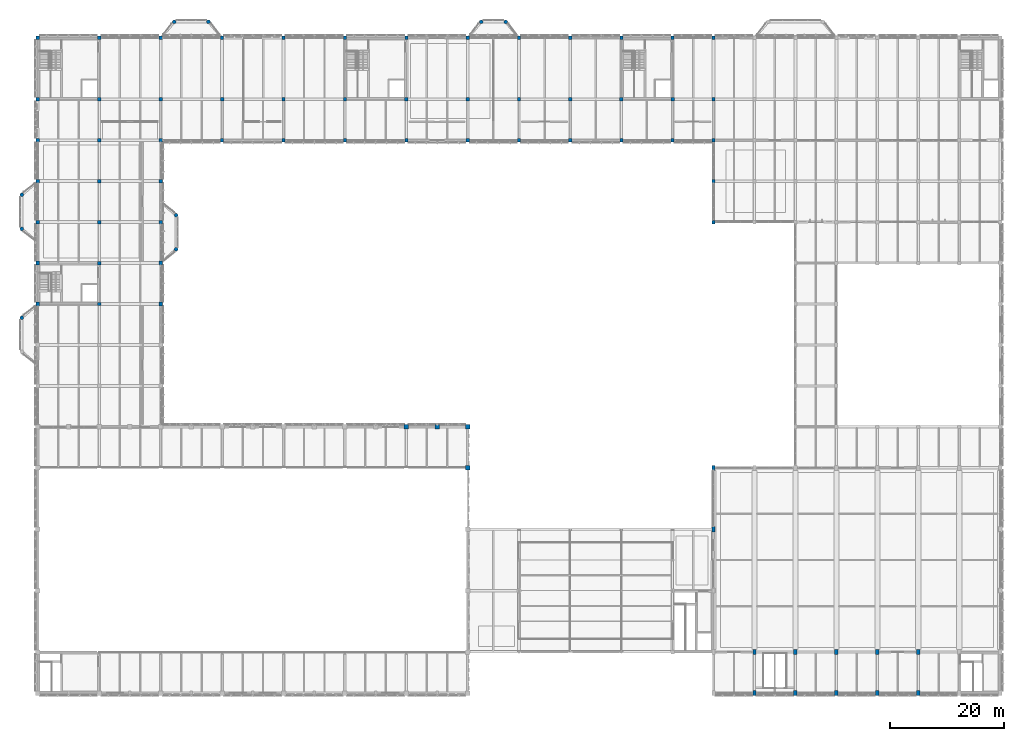
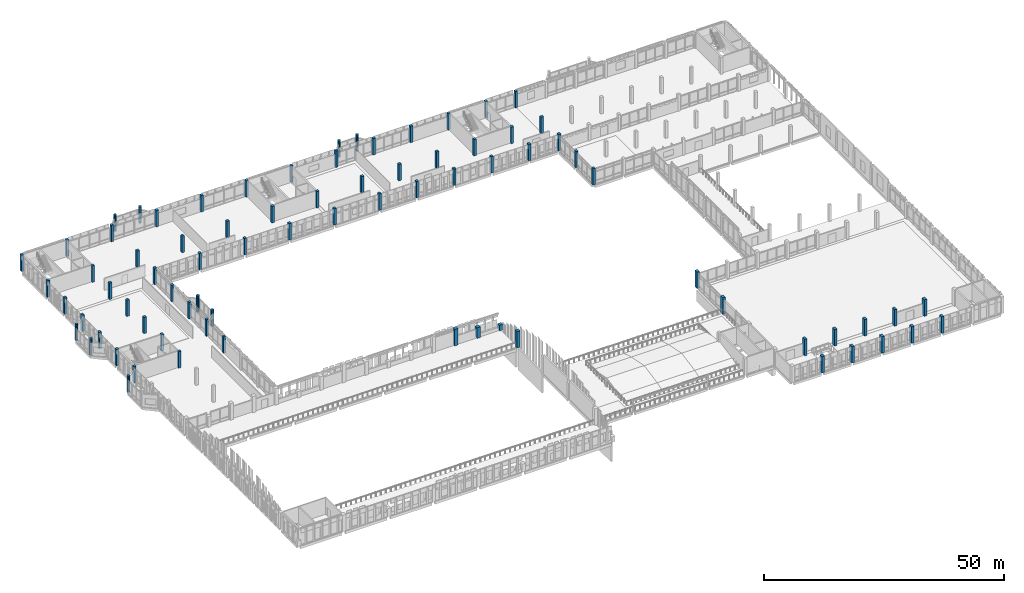
# One storey, part 4 of 158: 78 columns.
"""IFC4 building model written with IfcOpenShell, lengths in metres."""

from ifc_helpers import new_model, si_unit, direction, frame, origin, origin_2d, place, context, subcontext, project, spatial, rectangle, circle, extrude, material, material_profile, profile_set, type_object, element, save


model = new_model("IFC4")

# Units and contexts
model_context = context("Model", 3, precision=1e-05, world=origin(), true_north=direction((0.0, 1.0)))
body_context = subcontext(model_context, "Body", "Model", "MODEL_VIEW")
ifc_project = project(units=[si_unit("LENGTHUNIT", "METRE"), si_unit("AREAUNIT", "SQUARE_METRE"), si_unit("VOLUMEUNIT", "CUBIC_METRE"), si_unit("PLANEANGLEUNIT", "RADIAN"), si_unit("MASSUNIT", "GRAM", prefix="KILO")], contexts=[model_context])

# Site, building, storey
site_placement = place(None, origin())
site = spatial("IfcSite", under=ifc_project, at=site_placement, CompositionType="ELEMENT")
building_placement = place(site_placement, origin())
building = spatial("IfcBuilding", under=site, at=building_placement, Name="Lusvemor Sports Hall", CompositionType="ELEMENT")
storey_placement = place(building_placement, frame((0.0, 0.0, 10.800048828125)))
storey = spatial("IfcBuildingStorey", under=building, at=storey_placement, Name="L02", CompositionType="ELEMENT", Elevation=10.800048828125)

# Columns
ifc_material_1 = material(Name="Concrete C40/50", Category="concrete")
ifc_material_profile_1 = material_profile(ifc_material_1, circle(Radius=0.324951171875, at=origin_2d()), Name="RCCIRC650")
ifc_profile_set_1 = profile_set([ifc_material_profile_1], Name="Concrete C40/50")
column_type_1 = type_object("IfcColumnType", Name="COL_COLONNADE", PredefinedType="COLUMN", material=ifc_profile_set_1)
for number, where, z_axis, x_axis, name in (
    (1, (-2.800048828125, 66.0, 0.0), (0.0, 0.0, 1.0), (1.0, 0.0, 0.0), "Art Nouveau Bow Column BOW-W1-2 (L02)"),
    (2, (-2.800048828125, 81.60009765625, 0.0), (0.0, 0.0, 1.0), (1.0, 0.0, 0.0), "Art Nouveau Bow Column BOW-W2-1 (L02)"),
    (3, (-2.800048828125, 87.60009765625, 0.0), (0.0, 0.0, 1.0), (1.0, 0.0, 0.0), "Art Nouveau Bow Column BOW-W2-2 (L02)"),
    (4, (24.0, 118.0, 0.0), (0.0, 0.0, 1.0), (1.0, 0.0, 0.0), "Art Nouveau Bow Column BOW-N1-1 (L02)"),
    (5, (30.0, 118.0, 0.0), (0.0, 0.0, 1.0), (1.0, 0.0, 0.0), "Art Nouveau Bow Column BOW-N1-2 (L02)"),
    (6, (77.93994140625, 118.0, 0.0), (0.0, 0.0, 1.0), (1.0, 0.0, 0.0), "Art Nouveau Bow Column BOW-N2-1 (L02)"),
    (7, (82.260009765625, 118.0, 0.0), (0.0, 0.0, 1.0), (1.0, 0.0, 0.0), "Art Nouveau Bow Column BOW-N2-2 (L02)"),
    (8, (24.300048828125, 84.0, 0.0), (0.0, 0.0, 1.0), (1.0, 0.0, 0.0), "Art Nouveau Bow Column BOW-CT-1 (L02)"),
    (9, (24.300048828125, 78.0, 0.0), (0.0, 0.0, 1.0), (1.0, 0.0, 0.0), "Art Nouveau Bow Column BOW-CT-2 (L02)"),
):
    element("IfcColumn", number, at=place(storey_placement, frame(where, z_axis=z_axis, x_axis=x_axis)), inside=storey, type_object=column_type_1, Name=name, PredefinedType="COLUMN", context=body_context, shape_type="SweptSolid", body=[
        extrude(circle(Radius=0.324951171875, at=origin_2d()), origin(), (0.0, 0.0, 1.0), 4.199951171875),
    ])
ifc_material_2 = material(Name="Concrete C40/50", Category="concrete")
ifc_material_profile_2 = material_profile(ifc_material_2, rectangle(XDim=0.800048828125, YDim=0.800048828125, at=origin_2d()), Name="RC800x800")
ifc_profile_set_2 = profile_set([ifc_material_profile_2], Name="Concrete C40/50")
column_type_2 = type_object("IfcColumnType", Name="COL_HALL_W", PredefinedType="COLUMN", material=ifc_profile_set_2)
for number, where, z_axis, x_axis, name in (
    (10, (64.800048828125, 46.800048828125, 0.0), (0.0, 0.0, 1.0), (1.0, 0.0, 0.0), "Column 7/F (L02)"),
    (11, (75.60009765625, 39.60009765625, 0.0), (0.0, 0.0, 1.0), (1.0, 0.0, 0.0), "Column 8/E (L02)"),
):
    element("IfcColumn", number, at=place(storey_placement, frame(where, z_axis=z_axis, x_axis=x_axis)), inside=storey, type_object=column_type_2, Name=name, PredefinedType="COLUMN", context=body_context, shape_type="SweptSolid", body=[
        extrude(rectangle(XDim=0.800048828125, YDim=0.800048828125, at=origin_2d()), origin(), (0.0, 0.0, 1.0), 4.199951171875),
    ])
column_1_placement = place(storey_placement, frame((75.60009765625, 46.800048828125, 0.0), z_axis=(0.0, 0.0, 1.0), x_axis=(1.0, 0.0, 0.0)))
element("IfcColumn", 12, at=column_1_placement, inside=storey, type_object=column_type_2, Name="Column 8/F (L02)", PredefinedType="COLUMN", context=body_context, shape_type="SweptSolid", body=[
    extrude(rectangle(XDim=0.800048828125, YDim=0.800048828125, at=origin_2d()), origin(), (0.0, 0.0, 1.0), 1.429931640625),
])
column_2_placement = place(storey_placement, frame((70.199951171875, 46.800048828125, 0.0), z_axis=(0.0, 0.0, 1.0), x_axis=(1.0, 0.0, 0.0)))
element("IfcColumn", 13, at=column_2_placement, inside=storey, type_object=column_type_2, Name="Wave North Eave Column N7 (L02)", PredefinedType="COLUMN", context=body_context, shape_type="SweptSolid", body=[
    extrude(rectangle(XDim=0.800048828125, YDim=0.800048828125, at=origin_2d()), origin(), (0.0, 0.0, 1.0), 2.720458984375),
])
ifc_material_3 = material(Name="Concrete C40/50", Category="concrete")
ifc_material_profile_3 = material_profile(ifc_material_3, rectangle(XDim=0.60009765625, YDim=0.89990234375, at=origin_2d()), Name="RC600x900")
ifc_profile_set_3 = profile_set([ifc_material_profile_3], Name="Concrete C40/50")
column_type_3 = type_object("IfcColumnType", Name="COL_STACK_E", PredefinedType="COLUMN", material=ifc_profile_set_3)
for number, where, z_axis, x_axis, name in (
    (14, (118.800048828125, 28.800048828125, 0.0), (0.0, 0.0, 1.0), (1.0, 0.0, 0.0), "Column 13/D (L02)"),
    (15, (118.800048828125, 39.60009765625, 0.0), (0.0, 0.0, 1.0), (1.0, 0.0, 0.0), "Column 13/E (L02)"),
    (16, (126.0, 0.0, 0.0), (0.0, 0.0, 1.0), (1.0, 0.0, 0.0), "Column 14/A (L02)"),
    (17, (126.0, 7.199951171875, 0.0), (0.0, 0.0, 1.0), (1.0, 0.0, 0.0), "Column 14/B (L02)"),
    (18, (133.199951171875, 0.0, 0.0), (0.0, 0.0, 1.0), (1.0, 0.0, 0.0), "Column 15/A (L02)"),
    (19, (133.199951171875, 7.199951171875, 0.0), (0.0, 0.0, 1.0), (1.0, 0.0, 0.0), "Column 15/B (L02)"),
    (20, (140.39990234375, 0.0, 0.0), (0.0, 0.0, 1.0), (1.0, 0.0, 0.0), "Column 16/A (L02)"),
    (21, (140.39990234375, 7.199951171875, 0.0), (0.0, 0.0, 1.0), (1.0, 0.0, 0.0), "Column 16/B (L02)"),
    (22, (147.60009765625, 0.0, 0.0), (0.0, 0.0, 1.0), (1.0, 0.0, 0.0), "Column 17/A (L02)"),
    (23, (147.60009765625, 7.199951171875, 0.0), (0.0, 0.0, 1.0), (1.0, 0.0, 0.0), "Column 17/B (L02)"),
    (24, (154.800048828125, 0.0, 0.0), (0.0, 0.0, 1.0), (1.0, 0.0, 0.0), "Column 18/A (L02)"),
    (25, (154.800048828125, 7.199951171875, 0.0), (0.0, 0.0, 1.0), (1.0, 0.0, 0.0), "Column 18/B (L02)"),
):
    element("IfcColumn", number, at=place(storey_placement, frame(where, z_axis=z_axis, x_axis=x_axis)), inside=storey, type_object=column_type_3, Name=name, PredefinedType="COLUMN", context=body_context, shape_type="SweptSolid", body=[
        extrude(rectangle(XDim=0.60009765625, YDim=0.89990234375, at=origin_2d()), origin(), (0.0, 0.0, 1.0), 4.199951171875),
    ])
ifc_material_4 = material(Name="Concrete C40/50", Category="concrete")
ifc_material_profile_4 = material_profile(ifc_material_4, rectangle(XDim=0.56005859375, YDim=0.639892578125, at=origin_2d()), Name="RC560x640")
ifc_profile_set_4 = profile_set([ifc_material_profile_4], Name="Concrete C40/50")
column_type_4 = type_object("IfcColumnType", Name="COL_WING_E", PredefinedType="COLUMN", material=ifc_profile_set_4)
for number, where, z_axis, x_axis, name in (
    (26, (0.0, 68.39990234375, 0.0), (0.0, 0.0, 1.0), (1.0, 0.0, 0.0), "Column 1/J (L02)"),
    (27, (0.0, 75.60009765625, 0.0), (0.0, 0.0, 1.0), (1.0, 0.0, 0.0), "Column 1/K (L02)"),
    (28, (0.0, 82.800048828125, 0.0), (0.0, 0.0, 1.0), (1.0, 0.0, 0.0), "Column 1/L (L02)"),
    (29, (0.0, 90.0, 0.0), (0.0, 0.0, 1.0), (1.0, 0.0, 0.0), "Column 1/M (L02)"),
    (30, (0.0, 97.199951171875, 0.0), (0.0, 0.0, 1.0), (1.0, 0.0, 0.0), "Column 1/N (L02)"),
    (31, (0.0, 104.39990234375, 0.0), (0.0, 0.0, 1.0), (1.0, 0.0, 0.0), "Column 1/P (L02)"),
    (32, (0.0, 115.199951171875, 0.0), (0.0, 0.0, 1.0), (1.0, 0.0, 0.0), "Column 1/Q (L02)"),
    (33, (10.800048828125, 115.199951171875, 0.0), (0.0, 0.0, 1.0), (1.0, 0.0, 0.0), "Column 2/Q (L02)"),
    (34, (21.60009765625, 68.39990234375, 0.0), (0.0, 0.0, 1.0), (1.0, 0.0, 0.0), "Column 3/J (L02)"),
    (35, (21.60009765625, 75.60009765625, 0.0), (0.0, 0.0, 1.0), (1.0, 0.0, 0.0), "Column 3/K (L02)"),
    (36, (21.60009765625, 82.800048828125, 0.0), (0.0, 0.0, 1.0), (1.0, 0.0, 0.0), "Column 3/L (L02)"),
    (37, (21.60009765625, 90.0, 0.0), (0.0, 0.0, 1.0), (1.0, 0.0, 0.0), "Column 3/M (L02)"),
    (38, (21.60009765625, 97.199951171875, 0.0), (0.0, 0.0, 1.0), (1.0, 0.0, 0.0), "Column 3/N (L02)"),
    (39, (21.60009765625, 115.199951171875, 0.0), (0.0, 0.0, 1.0), (1.0, 0.0, 0.0), "Column 3/Q (L02)"),
    (40, (32.39990234375, 97.199951171875, 0.0), (0.0, 0.0, 1.0), (1.0, 0.0, 0.0), "Column 4/N (L02)"),
    (41, (32.39990234375, 115.199951171875, 0.0), (0.0, 0.0, 1.0), (1.0, 0.0, 0.0), "Column 4/Q (L02)"),
    (42, (43.199951171875, 97.199951171875, 0.0), (0.0, 0.0, 1.0), (1.0, 0.0, 0.0), "Column 5/N (L02)"),
    (43, (43.199951171875, 115.199951171875, 0.0), (0.0, 0.0, 1.0), (1.0, 0.0, 0.0), "Column 5/Q (L02)"),
    (44, (54.0, 97.199951171875, 0.0), (0.0, 0.0, 1.0), (1.0, 0.0, 0.0), "Column 6/N (L02)"),
    (45, (54.0, 115.199951171875, 0.0), (0.0, 0.0, 1.0), (1.0, 0.0, 0.0), "Column 6/Q (L02)"),
    (46, (64.800048828125, 97.199951171875, 0.0), (0.0, 0.0, 1.0), (1.0, 0.0, 0.0), "Column 7/N (L02)"),
    (47, (64.800048828125, 115.199951171875, 0.0), (0.0, 0.0, 1.0), (1.0, 0.0, 0.0), "Column 7/Q (L02)"),
    (48, (75.60009765625, 97.199951171875, 0.0), (0.0, 0.0, 1.0), (1.0, 0.0, 0.0), "Column 8/N (L02)"),
    (49, (75.60009765625, 115.199951171875, 0.0), (0.0, 0.0, 1.0), (1.0, 0.0, 0.0), "Column 8/Q (L02)"),
    (50, (84.60009765625, 97.199951171875, 0.0), (0.0, 0.0, 1.0), (1.0, 0.0, 0.0), "Column 9/N (L02)"),
    (51, (84.60009765625, 115.199951171875, 0.0), (0.0, 0.0, 1.0), (1.0, 0.0, 0.0), "Column 9/Q (L02)"),
    (52, (93.60009765625, 97.199951171875, 0.0), (0.0, 0.0, 1.0), (1.0, 0.0, 0.0), "Column 10/N (L02)"),
    (53, (93.60009765625, 115.199951171875, 0.0), (0.0, 0.0, 1.0), (1.0, 0.0, 0.0), "Column 10/Q (L02)"),
    (54, (102.60009765625, 97.199951171875, 0.0), (0.0, 0.0, 1.0), (1.0, 0.0, 0.0), "Column 11/N (L02)"),
    (55, (102.60009765625, 115.199951171875, 0.0), (0.0, 0.0, 1.0), (1.0, 0.0, 0.0), "Column 11/Q (L02)"),
    (56, (111.60009765625, 97.199951171875, 0.0), (0.0, 0.0, 1.0), (1.0, 0.0, 0.0), "Column 12/N (L02)"),
    (57, (111.60009765625, 115.199951171875, 0.0), (0.0, 0.0, 1.0), (1.0, 0.0, 0.0), "Column 12/Q (L02)"),
    (58, (118.800048828125, 82.800048828125, 0.0), (0.0, 0.0, 1.0), (1.0, 0.0, 0.0), "Column 13/L (L02)"),
    (59, (118.800048828125, 90.0, 0.0), (0.0, 0.0, 1.0), (1.0, 0.0, 0.0), "Column 13/M (L02)"),
    (60, (118.800048828125, 97.199951171875, 0.0), (0.0, 0.0, 1.0), (1.0, 0.0, 0.0), "Column 13/N (L02)"),
    (61, (118.800048828125, 115.199951171875, 0.0), (0.0, 0.0, 1.0), (1.0, 0.0, 0.0), "Column 13/Q (L02)"),
):
    element("IfcColumn", number, at=place(storey_placement, frame(where, z_axis=z_axis, x_axis=x_axis)), inside=storey, type_object=column_type_4, Name=name, PredefinedType="COLUMN", context=body_context, shape_type="SweptSolid", body=[
        extrude(rectangle(XDim=0.56005859375, YDim=0.639892578125, at=origin_2d()), origin(), (0.0, 0.0, 1.0), 4.199951171875),
    ])
ifc_material_5 = material(Name="Concrete C40/50", Category="concrete")
ifc_material_profile_5 = material_profile(ifc_material_5, rectangle(XDim=0.60009765625, YDim=0.60009765625, at=origin_2d()), Name="RC600x600")
ifc_profile_set_5 = profile_set([ifc_material_profile_5], Name="Concrete C40/50")
column_type_5 = type_object("IfcColumnType", Name="COL_WING_L", PredefinedType="COLUMN", material=ifc_profile_set_5)
for number, where, z_axis, x_axis, name in (
    (62, (10.800048828125, 68.39990234375, 0.0), (0.0, 0.0, 1.0), (1.0, 0.0, 0.0), "Column 2/J (L02)"),
    (63, (10.800048828125, 75.60009765625, 0.0), (0.0, 0.0, 1.0), (1.0, 0.0, 0.0), "Column 2/K (L02)"),
    (64, (10.800048828125, 82.800048828125, 0.0), (0.0, 0.0, 1.0), (1.0, 0.0, 0.0), "Column 2/L (L02)"),
    (65, (10.800048828125, 90.0, 0.0), (0.0, 0.0, 1.0), (1.0, 0.0, 0.0), "Column 2/M (L02)"),
    (66, (10.800048828125, 97.199951171875, 0.0), (0.0, 0.0, 1.0), (1.0, 0.0, 0.0), "Column 2/N (L02)"),
    (67, (10.800048828125, 104.39990234375, 0.0), (0.0, 0.0, 1.0), (1.0, 0.0, 0.0), "Column 2/P (L02)"),
    (68, (21.60009765625, 104.39990234375, 0.0), (0.0, 0.0, 1.0), (1.0, 0.0, 0.0), "Column 3/P (L02)"),
    (69, (32.39990234375, 104.39990234375, 0.0), (0.0, 0.0, 1.0), (1.0, 0.0, 0.0), "Column 4/P (L02)"),
    (70, (43.199951171875, 104.39990234375, 0.0), (0.0, 0.0, 1.0), (1.0, 0.0, 0.0), "Column 5/P (L02)"),
    (71, (54.0, 104.39990234375, 0.0), (0.0, 0.0, 1.0), (1.0, 0.0, 0.0), "Column 6/P (L02)"),
    (72, (64.800048828125, 104.39990234375, 0.0), (0.0, 0.0, 1.0), (1.0, 0.0, 0.0), "Column 7/P (L02)"),
    (73, (75.60009765625, 104.39990234375, 0.0), (0.0, 0.0, 1.0), (1.0, 0.0, 0.0), "Column 8/P (L02)"),
    (74, (84.60009765625, 104.39990234375, 0.0), (0.0, 0.0, 1.0), (1.0, 0.0, 0.0), "Column 9/P (L02)"),
    (75, (93.60009765625, 104.39990234375, 0.0), (0.0, 0.0, 1.0), (1.0, 0.0, 0.0), "Column 10/P (L02)"),
    (76, (102.60009765625, 104.39990234375, 0.0), (0.0, 0.0, 1.0), (1.0, 0.0, 0.0), "Column 11/P (L02)"),
    (77, (111.60009765625, 104.39990234375, 0.0), (0.0, 0.0, 1.0), (1.0, 0.0, 0.0), "Column 12/P (L02)"),
    (78, (118.800048828125, 104.39990234375, 0.0), (0.0, 0.0, 1.0), (1.0, 0.0, 0.0), "Column 13/P (L02)"),
):
    element("IfcColumn", number, at=place(storey_placement, frame(where, z_axis=z_axis, x_axis=x_axis)), inside=storey, type_object=column_type_5, Name=name, PredefinedType="COLUMN", context=body_context, shape_type="SweptSolid", body=[
        extrude(rectangle(XDim=0.60009765625, YDim=0.60009765625, at=origin_2d()), origin(), (0.0, 0.0, 1.0), 4.199951171875),
    ])

save(model, "model.ifc")
